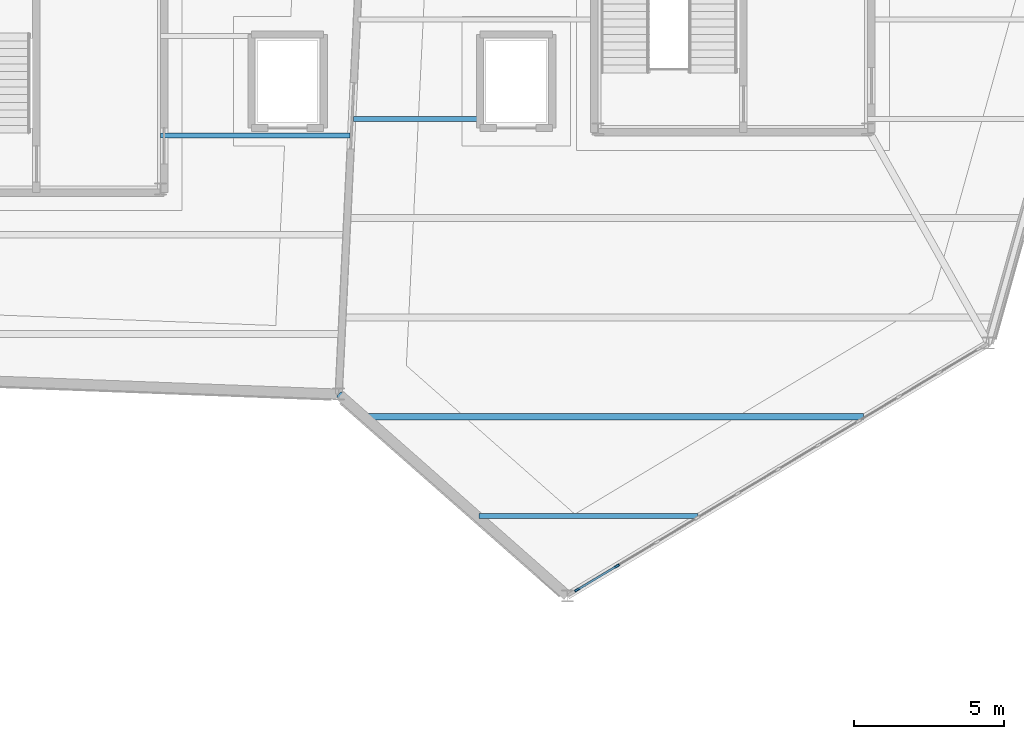
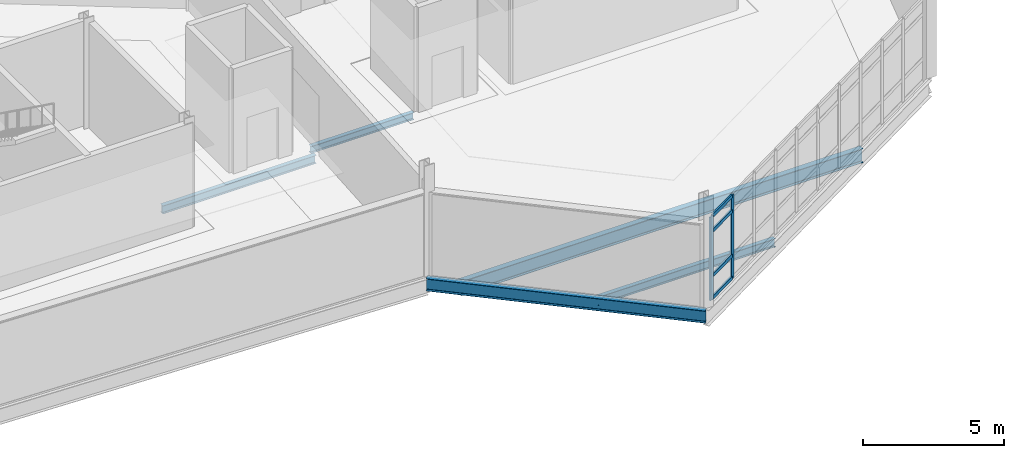
# One storey, part 60 of 134: 6 members, 5 beams, 1 element without a shape of its own.
"""IFC4 building model written with IfcOpenShell, lengths in metres."""

from ifc_helpers import new_model, si_unit, direction, frame, origin, origin_2d, place, context, subcontext, project, spatial, rectangle, i_section, extrude, material, material_profile, profile_set, type_object, element, aggregate, save


model = new_model("IFC4")

# Units and contexts
model_context = context("Model", 3, precision=1e-05, world=origin(), true_north=direction((0.0, 1.0)))
body_context = subcontext(model_context, "Body", "Model", "MODEL_VIEW")
ifc_project = project(units=[si_unit("LENGTHUNIT", "METRE"), si_unit("AREAUNIT", "SQUARE_METRE"), si_unit("VOLUMEUNIT", "CUBIC_METRE"), si_unit("PLANEANGLEUNIT", "RADIAN"), si_unit("MASSUNIT", "GRAM", prefix="KILO")], contexts=[model_context])

# Site, building, storey
site_placement = place(None, origin())
site = spatial("IfcSite", under=ifc_project, at=site_placement, CompositionType="ELEMENT")
building_placement = place(site_placement, origin())
building = spatial("IfcBuilding", under=site, at=building_placement, Name="Tameran Prism Museum", CompositionType="ELEMENT")
storey_placement = place(building_placement, frame((0.0, 0.0, 5.39990234375)))
storey = spatial("IfcBuildingStorey", under=building, at=storey_placement, Name="L01", CompositionType="ELEMENT", Elevation=5.39990234375)

# Beams
ifc_material_1 = material(Name="Steel Grade 300PLUS (300 MPa)", Category="steel")
ifc_material_profile_1 = material_profile(ifc_material_1, i_section(OverallWidth=0.166015625, OverallDepth=0.306884765625, WebThickness=0.006591796875, FlangeThickness=0.01171875, FilletRadius=0.011474609375, at=origin_2d()))
ifc_profile_set_1 = profile_set([ifc_material_profile_1])
beam_type_1 = type_object("IfcBeamType", Name="BM-J310A", PredefinedType="JOIST", material=ifc_profile_set_1)
beam_1_placement = place(storey_placement, frame((118.385009765625, 79.75, -0.353515625), z_axis=(1.0, 0.0, 0.0), x_axis=(0.0, 1.0, 0.0)))
element("IfcBeam", 1, at=beam_1_placement, inside=storey, type_object=beam_type_1, Name="Floor Beam BM-0512", PredefinedType="JOIST", context=body_context, shape_type="SweptSolid", body=[
    extrude(i_section(OverallWidth=0.166015625, OverallDepth=0.306884765625, WebThickness=0.006591796875, FlangeThickness=0.01171875, FilletRadius=0.011474609375, at=origin_2d()), origin(), (0.0, 0.0, 1.0), 4.235107421875),
])
ifc_material_2 = material(Name="Steel Grade 300PLUS (300 MPa)", Category="steel")
ifc_material_profile_2 = material_profile(ifc_material_2, i_section(OverallWidth=0.172119140625, OverallDepth=0.35888671875, WebThickness=0.008056640625, FlangeThickness=0.012939453125, FilletRadius=0.011474609375, at=origin_2d()))
ifc_profile_set_2 = profile_set([ifc_material_profile_2])
beam_type_2 = type_object("IfcBeamType", Name="BM-J360A", PredefinedType="JOIST", material=ifc_profile_set_2)
beam_2_placement = place(storey_placement, frame((111.97998046875, 79.199951171875, -0.37939453125), z_axis=(1.0, 0.0, 0.0), x_axis=(0.0, 1.0, 0.0)))
element("IfcBeam", 2, at=beam_2_placement, inside=storey, type_object=beam_type_2, Name="Floor Beam BM-0501", PredefinedType="JOIST", context=body_context, shape_type="SweptSolid", body=[
    extrude(i_section(OverallWidth=0.172119140625, OverallDepth=0.35888671875, WebThickness=0.008056640625, FlangeThickness=0.012939453125, FilletRadius=0.011474609375, at=origin_2d()), origin(), (0.0, 0.0, 1.0), 6.298095703125),
])
beam_3_placement = place(storey_placement, frame((122.554931640625, 66.550048828125, -0.37939453125), z_axis=(1.0, 0.0, 0.0), x_axis=(0.0, 1.0, 0.0)))
element("IfcBeam", 3, at=beam_3_placement, inside=storey, type_object=beam_type_2, Name="Floor Beam BM-0508", PredefinedType="JOIST", context=body_context, shape_type="SweptSolid", body=[
    extrude(i_section(OverallWidth=0.172119140625, OverallDepth=0.35888671875, WebThickness=0.008056640625, FlangeThickness=0.012939453125, FilletRadius=0.011474609375, at=origin_2d()), origin(), (0.0, 0.0, 1.0), 7.2841796875),
])
ifc_material_3 = material(Name="Steel Grade 300PLUS (300 MPa)", Category="steel")
ifc_material_profile_3 = material_profile(ifc_material_3, i_section(OverallWidth=0.208984375, OverallDepth=0.532958984375, WebThickness=0.01025390625, FlangeThickness=0.015625, FilletRadius=0.013916015625, at=origin_2d()))
ifc_profile_set_3 = profile_set([ifc_material_profile_3])
beam_type_3 = type_object("IfcBeamType", Name="BM-SP530A", PredefinedType="SPANDREL", material=ifc_profile_set_3)
beam_4_placement = place(storey_placement, frame((117.89990234375, 70.60009765625, -0.46630859375), z_axis=(0.750120474088, -0.661301197908, 0.0), x_axis=(0.661301197908, 0.750120474088, 0.0)))
element("IfcBeam", 4, at=beam_4_placement, inside=storey, type_object=beam_type_3, Name="Perimeter Spandrel SP-0330", PredefinedType="SPANDREL", context=body_context, shape_type="SweptSolid", body=[
    extrude(i_section(OverallWidth=0.208984375, OverallDepth=0.532958984375, WebThickness=0.01025390625, FlangeThickness=0.015625, FilletRadius=0.013916015625, at=origin_2d()), origin(), (0.0, 0.0, 1.0), 10.1318359375),
])
ifc_material_4 = material(Name="Steel Grade 300PLUS (300 MPa)", Category="steel")
ifc_material_profile_4 = material_profile(ifc_material_4, i_section(OverallWidth=0.22802734375, OverallDepth=0.60693359375, WebThickness=0.01123046875, FlangeThickness=0.017333984375, FilletRadius=0.013916015625, at=origin_2d()))
ifc_profile_set_4 = profile_set([ifc_material_profile_4])
beam_type_4 = type_object("IfcBeamType", Name="BM-UB610B", PredefinedType="BEAM", material=ifc_profile_set_4)
beam_5_placement = place(storey_placement, frame((118.81103515625, 69.85009765625, -0.50341796875), z_axis=(1.0, 0.0, 0.0), x_axis=(0.0, 1.0, 0.0)))
element("IfcBeam", 5, at=beam_5_placement, inside=storey, type_object=beam_type_4, Name="Floor Beam BM-0509", PredefinedType="BEAM", context=body_context, shape_type="SweptSolid", body=[
    extrude(i_section(OverallWidth=0.22802734375, OverallDepth=0.60693359375, WebThickness=0.01123046875, FlangeThickness=0.017333984375, FilletRadius=0.013916015625, at=origin_2d()), origin(), (0.0, 0.0, 1.0), 16.528076171875),
])

# Curtain wall, members
ifc_material_5 = material(Name="Anodised Aluminium 6063-T6 and Cyclone Solar Glass", Category="aluminium")
curtain_wall_type = type_object("IfcCurtainWallType", Name="CW-FAC-1563x362", PredefinedType="USERDEFINED", material=ifc_material_5)
curtain_wall_placement = place(storey_placement, origin())
curtain_wall = element("IfcCurtainWall", 6, at=curtain_wall_placement, inside=storey, type_object=curtain_wall_type, Name="Unitised Curtain Wall CW-056", ObjectType="UNITISED CURTAIN WALL", PredefinedType="USERDEFINED")
ifc_material_6 = material(Name="Anodised Aluminium Alloy 6063-T6", Category="aluminium")
ifc_material_profile_5 = material_profile(ifc_material_6, rectangle(XDim=0.070068359375, YDim=0.179931640625, at=origin_2d()))
ifc_profile_set_5 = profile_set([ifc_material_profile_5])
member_type_1 = type_object("IfcMemberType", Name="CW-MUL-B", PredefinedType="MULLION", material=ifc_profile_set_5)
member_1_placement = place(storey_placement, frame((127.139892578125, 64.884033203125, 0.0), z_axis=(0.0, 0.0, 1.0), x_axis=(0.514495755426, -0.857492925713, 0.0)))
member_1 = element("IfcMember", 7, at=member_1_placement, type_object=member_type_1, Name="CW-056 mullion 10", PredefinedType="MULLION", context=body_context, shape_type="SweptSolid", body=[
    extrude(rectangle(XDim=0.070068359375, YDim=0.179931640625, at=origin_2d()), origin(), (0.0, 0.0, 1.0), 3.6201171875),
])
member_2_placement = place(storey_placement, frame((125.830078125, 64.097900390625, 0.0), z_axis=(0.0, 0.0, 1.0), x_axis=(0.514495755426, -0.857492925713, 0.0)))
member_2 = element("IfcMember", 8, at=member_2_placement, type_object=member_type_1, Name="CW-056 mullion 11", PredefinedType="MULLION", context=body_context, shape_type="SweptSolid", body=[
    extrude(rectangle(XDim=0.070068359375, YDim=0.179931640625, at=origin_2d()), origin(), (0.0, 0.0, 1.0), 3.6201171875),
])
ifc_material_7 = material(Name="Anodised Aluminium Alloy 6063-T6", Category="aluminium")
ifc_material_profile_6 = material_profile(ifc_material_7, rectangle(XDim=0.070068359375, YDim=0.155029296875, at=origin_2d()))
ifc_profile_set_6 = profile_set([ifc_material_profile_6])
member_type_2 = type_object("IfcMemberType", Name="CW-TRN-B", PredefinedType="USERDEFINED", material=ifc_profile_set_6)
member_3_placement = place(storey_placement, frame((127.110107421875, 64.865966796875, 0.03515625), z_axis=(-0.857492925713, -0.514495755428, 0.0), x_axis=(0.514495755428, -0.857492925713, 0.0)))
member_3 = element("IfcMember", 9, at=member_3_placement, type_object=member_type_2, Name="CW-056 transom 10.1", ObjectType="TRANSOM", PredefinedType="USERDEFINED", context=body_context, shape_type="SweptSolid", body=[
    extrude(rectangle(XDim=0.070068359375, YDim=0.155029296875, at=origin_2d()), origin(), (0.0, 0.0, 1.0), 1.457763671875),
])
member_4_placement = place(storey_placement, frame((127.110107421875, 64.865966796875, 1.0), z_axis=(-0.857492925713, -0.514495755428, 0.0), x_axis=(0.514495755428, -0.857492925713, 0.0)))
member_4 = element("IfcMember", 10, at=member_4_placement, type_object=member_type_2, Name="CW-056 transom 10.2", ObjectType="TRANSOM", PredefinedType="USERDEFINED", context=body_context, shape_type="SweptSolid", body=[
    extrude(rectangle(XDim=0.070068359375, YDim=0.155029296875, at=origin_2d()), origin(), (0.0, 0.0, 1.0), 1.457763671875),
])
member_5_placement = place(storey_placement, frame((127.110107421875, 64.865966796875, 2.940185546875), z_axis=(-0.857492925713, -0.514495755428, 0.0), x_axis=(0.514495755428, -0.857492925713, 0.0)))
member_5 = element("IfcMember", 11, at=member_5_placement, type_object=member_type_2, Name="CW-056 transom 10.3", ObjectType="TRANSOM", PredefinedType="USERDEFINED", context=body_context, shape_type="SweptSolid", body=[
    extrude(rectangle(XDim=0.070068359375, YDim=0.155029296875, at=origin_2d()), origin(), (0.0, 0.0, 1.0), 1.457763671875),
])
member_6_placement = place(storey_placement, frame((127.110107421875, 64.865966796875, 3.585205078125), z_axis=(-0.857492925713, -0.514495755428, 0.0), x_axis=(0.514495755428, -0.857492925713, 0.0)))
member_6 = element("IfcMember", 12, at=member_6_placement, type_object=member_type_2, Name="CW-056 transom 10.4", ObjectType="TRANSOM", PredefinedType="USERDEFINED", context=body_context, shape_type="SweptSolid", body=[
    extrude(rectangle(XDim=0.070068359375, YDim=0.155029296875, at=origin_2d()), origin(), (0.0, 0.0, 1.0), 1.457763671875),
])
aggregate(curtain_wall, [member_1, member_2, member_3, member_4, member_5, member_6])

save(model, "model.ifc")
